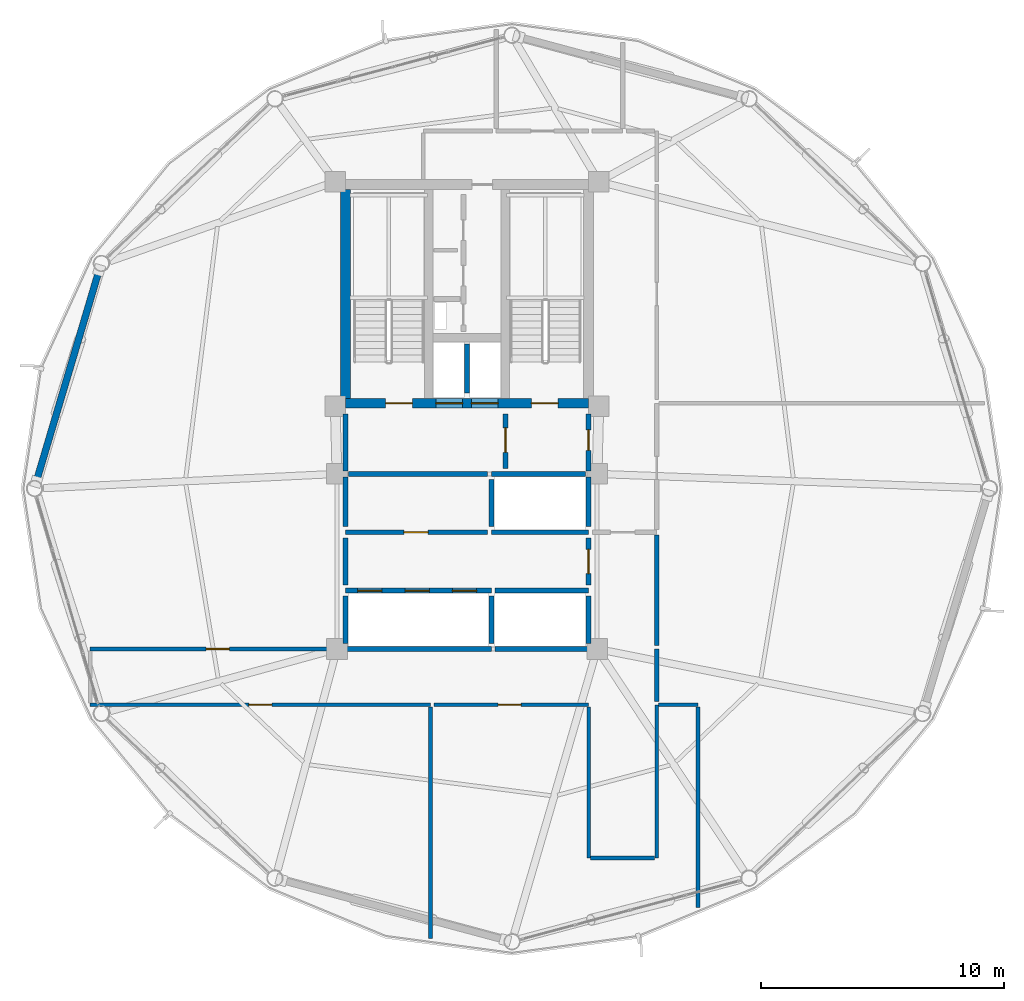
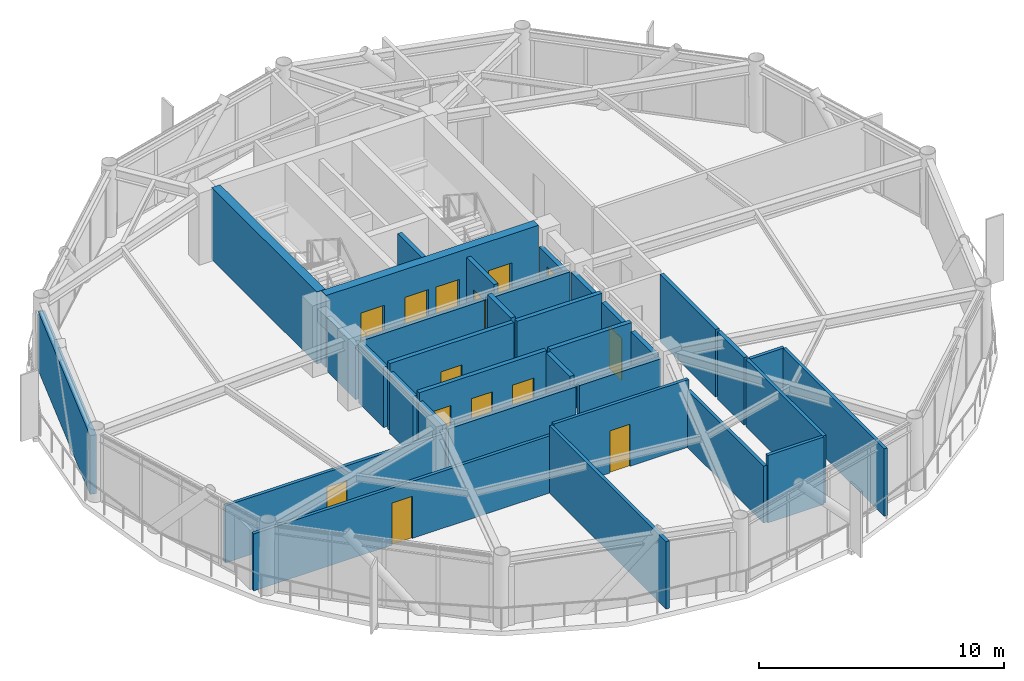
# One storey, part 22 of 28: 34 walls, 14 doors, 14 openings.
"""IFC4 building model written with IfcOpenShell, lengths in metres."""

from ifc_helpers import new_model, si_unit, direction, frame, frame_2d, origin, place, context, subcontext, project, spatial, rectangle, extrude, material, layer, layer_set, type_object, element, fill, save


model = new_model("IFC4")

# Units and contexts
model_context = context("Model", 3, precision=1e-05, world=origin(), true_north=direction((0.0, 1.0)))
body_context = subcontext(model_context, "Body", "Model", "MODEL_VIEW")
ifc_project = project(units=[si_unit("LENGTHUNIT", "METRE"), si_unit("AREAUNIT", "SQUARE_METRE"), si_unit("VOLUMEUNIT", "CUBIC_METRE"), si_unit("PLANEANGLEUNIT", "RADIAN"), si_unit("MASSUNIT", "GRAM", prefix="KILO")], contexts=[model_context])

# Site, building, storey
site_placement = place(None, origin())
site = spatial("IfcSite", under=ifc_project, at=site_placement, CompositionType="ELEMENT")
building_placement = place(site_placement, origin())
building = spatial("IfcBuilding", under=site, at=building_placement, Name="Varnakorn Sky Granary", CompositionType="ELEMENT")
storey_placement = place(building_placement, frame((0.0, 0.0, 186.0)))
storey = spatial("IfcBuildingStorey", under=building, at=storey_placement, Name="L46", CompositionType="ELEMENT", Elevation=186.0)

# Wall, openings, doors
ifc_material_1 = material(Name="Concrete C50/60", Category="concrete")
ifc_layer_1 = layer(ifc_material_1, 0.39990234375, Name="Concrete C50/60")
ifc_layer_set_1 = layer_set([ifc_layer_1], Name="Concrete C50/60")
wall_type_1 = type_object("IfcWallType", Name="WT-CW-SHEAR-400", PredefinedType="SHEAR", material=ifc_layer_set_1)
wall_1_placement = place(storey_placement, frame((-2.0, 3.5, 0.0), z_axis=(0.0, 0.0, 1.0), x_axis=(1.0, 0.0, 0.0)))
wall_1 = element("IfcWall", 1, at=wall_1_placement, inside=storey, type_object=wall_type_1, Name="Core South Shear Wall L46", PredefinedType="SHEAR", context=body_context, shape_type="SweptSolid", body=[
    extrude(rectangle(XDim=10.0, YDim=0.39990234375, at=frame_2d((5.0, 0.0))), origin(), (0.0, 0.0, 1.0), 3.592041015625),
])
opening_1_placement = place(wall_1_placement, frame((1.64990234375, 0.0, 0.0)))
opening_1 = element("IfcOpeningElement", 2, at=opening_1_placement, cuts=wall_1, Name="Opening FD-90", PredefinedType="OPENING", context=body_context, shape_type="SweptSolid", body=[
    extrude(rectangle(XDim=1.10009765625, YDim=2.14990234375, at=frame_2d((0.550048828125, 1.074951171875))), frame((0.0, 0.2099609375, 0.0), z_axis=(0.0, -1.0, 0.0), x_axis=(1.0, 0.0, 0.0)), (0.0, 0.0, 1.0), 0.419921875),
])
opening_2_placement = place(wall_1_placement, frame((7.64990234375, 0.0, 0.0)))
opening_2 = element("IfcOpeningElement", 3, at=opening_2_placement, cuts=wall_1, Name="Opening FD-90", PredefinedType="OPENING", context=body_context, shape_type="SweptSolid", body=[
    extrude(rectangle(XDim=1.10009765625, YDim=2.14990234375, at=frame_2d((0.550048828125, 1.074951171875))), frame((0.0, 0.2099609375, 0.0), z_axis=(0.0, -1.0, 0.0), x_axis=(1.0, 0.0, 0.0)), (0.0, 0.0, 1.0), 0.419921875),
])
opening_3_placement = place(wall_1_placement, frame((3.719970703125, 0.0, 0.0)))
opening_3 = element("IfcOpeningElement", 4, at=opening_3_placement, cuts=wall_1, Name="Opening LD-01", PredefinedType="OPENING", context=body_context, shape_type="SweptSolid", body=[
    extrude(rectangle(XDim=1.10009765625, YDim=2.199951171875, at=frame_2d((0.550048828125, 1.10009765625))), frame((0.0, 0.2099609375, 0.0), z_axis=(0.0, -1.0, 0.0), x_axis=(1.0, 0.0, 0.0)), (0.0, 0.0, 1.0), 0.419921875),
])
opening_4_placement = place(wall_1_placement, frame((5.179931640625, 0.0, 0.0)))
opening_4 = element("IfcOpeningElement", 5, at=opening_4_placement, cuts=wall_1, Name="Opening LD-01", PredefinedType="OPENING", context=body_context, shape_type="SweptSolid", body=[
    extrude(rectangle(XDim=1.10009765625, YDim=2.199951171875, at=frame_2d((0.550048828125, 1.10009765625))), frame((0.0, 0.2099609375, 0.0), z_axis=(0.0, -1.0, 0.0), x_axis=(1.0, 0.0, 0.0)), (0.0, 0.0, 1.0), 0.419921875),
])
ifc_material_2 = material(Name="Brushed Bronze Stainless Steel", Category="steel")
door_type_1 = type_object("IfcDoorType", Name="DR-LD-1100", OperationType="DOUBLE_DOOR_SLIDING", PredefinedType="DOOR", material=ifc_material_2)
door_1_placement = place(opening_3_placement, origin())
door_1 = element("IfcDoor", 6, at=door_1_placement, inside=storey, type_object=door_type_1, Name="Firefighting Lift FFL-1 Landing Door L46", OperationType="DOUBLE_DOOR_SLIDING", OverallHeight=2.199951171875, OverallWidth=1.10009765625, PredefinedType="DOOR", context=body_context, shape_type="SweptSolid", body=[
    extrude(rectangle(XDim=1.10009765625, YDim=2.199951171875, at=frame_2d((0.550048828125, 1.10009765625))), frame((0.0, 0.02490234375, 0.0), z_axis=(0.0, -1.0, 0.0), x_axis=(1.0, 0.0, 0.0)), (0.0, 0.0, 1.0), 0.050048828125),
])
fill(opening_3, door_1)
door_2_placement = place(opening_4_placement, origin())
door_2 = element("IfcDoor", 7, at=door_2_placement, inside=storey, type_object=door_type_1, Name="Firefighting Lift FFL-2 Landing Door L46", OperationType="DOUBLE_DOOR_SLIDING", OverallHeight=2.199951171875, OverallWidth=1.10009765625, PredefinedType="DOOR", context=body_context, shape_type="SweptSolid", body=[
    extrude(rectangle(XDim=1.10009765625, YDim=2.199951171875, at=frame_2d((0.550048828125, 1.10009765625))), frame((0.0, 0.02490234375, 0.0), z_axis=(0.0, -1.0, 0.0), x_axis=(1.0, 0.0, 0.0)), (0.0, 0.0, 1.0), 0.050048828125),
])
fill(opening_4, door_2)
ifc_material_3 = material(Name="Galvanised Painted Steel Leaf", Category="steel")
door_type_2 = type_object("IfcDoorType", Name="DR-STAIR-1100", OperationType="NOTDEFINED", PredefinedType="DOOR", material=ifc_material_3)
door_3_placement = place(opening_1_placement, origin())
door_3 = element("IfcDoor", 8, at=door_3_placement, inside=storey, type_object=door_type_2, Name="Stair ST-1 Protected Fire Door L46", OperationType="SINGLE_SWING_LEFT", OverallHeight=2.14990234375, OverallWidth=1.10009765625, PredefinedType="DOOR", context=body_context, shape_type="SweptSolid", body=[
    extrude(rectangle(XDim=1.10009765625, YDim=2.14990234375, at=frame_2d((0.550048828125, 1.074951171875))), frame((0.0, 0.02490234375, 0.0), z_axis=(0.0, -1.0, 0.0), x_axis=(1.0, 0.0, 0.0)), (0.0, 0.0, 1.0), 0.050048828125),
])
fill(opening_1, door_3)
door_4_placement = place(opening_2_placement, origin())
door_4 = element("IfcDoor", 9, at=door_4_placement, inside=storey, type_object=door_type_2, Name="Stair ST-2 Protected Fire Door L46", OperationType="SINGLE_SWING_RIGHT", OverallHeight=2.14990234375, OverallWidth=1.10009765625, PredefinedType="DOOR", context=body_context, shape_type="SweptSolid", body=[
    extrude(rectangle(XDim=1.10009765625, YDim=2.14990234375, at=frame_2d((0.550048828125, 1.074951171875))), frame((0.0, 0.02490234375, 0.0), z_axis=(0.0, -1.0, 0.0), x_axis=(1.0, 0.0, 0.0)), (0.0, 0.0, 1.0), 0.050048828125),
])
fill(opening_2, door_4)

# Walls
wall_2_placement = place(storey_placement, frame((-2.0, 3.7099609375, 0.0), z_axis=(0.0, 0.0, 1.0), x_axis=(0.0, 1.0, 0.0)))
element("IfcWall", 10, at=wall_2_placement, inside=storey, type_object=wall_type_1, Name="Core West Shear Wall L46", PredefinedType="SHEAR", context=body_context, shape_type="SweptSolid", body=[
    extrude(rectangle(XDim=8.580078125, YDim=0.39990234375, at=frame_2d((4.2900390625, 0.0))), origin(), (0.0, 0.0, 1.0), 3.592041015625),
])
ifc_material_4 = material(Name="Precast concrete C40/50", Category="concrete")
ifc_layer_2 = layer(ifc_material_4, 0.280029296875, Name="Precast concrete C40/50")
ifc_layer_set_2 = layer_set([ifc_layer_2], Name="Precast concrete C40/50")
wall_type_2 = type_object("IfcWallType", Name="WT-EW-CRN-280", PredefinedType="SOLIDWALL", material=ifc_layer_set_2)
wall_3_placement = place(storey_placement, frame((-14.7158203125, 0.273193359375, 0.0), z_axis=(0.0, 0.0, 1.0), x_axis=(0.28470670411, 0.958614673701, 0.0)))
element("IfcWall", 11, at=wall_3_placement, inside=storey, type_object=wall_type_2, Name="Agritech Insulated Precast Facade Wall L46-P06", PredefinedType="SOLIDWALL", context=body_context, shape_type="SweptSolid", body=[
    extrude(rectangle(XDim=9.086181640625, YDim=0.280029296875, at=frame_2d((4.54296875, 0.0))), origin(), (0.0, 0.0, 1.0), 2.929931640625),
])

# Wall, opening, door
ifc_material_5 = material(Name="Autoclaved Aerated Concrete Blockwork", Category="masonry")
ifc_layer_3 = layer(ifc_material_5, 0.199951171875, Name="Autoclaved Aerated Concrete Blockwork")
ifc_layer_set_3 = layer_set([ifc_layer_3], Name="Autoclaved Aerated Concrete Blockwork")
wall_type_3 = type_object("IfcWallType", Name="WT-FIRE-200", PredefinedType="MOVABLE", material=ifc_layer_set_3)
wall_4_placement = place(storey_placement, frame((4.580078125, 0.830078125, 0.0), z_axis=(0.0, 0.0, 1.0), x_axis=(0.0, 1.0, 0.0)))
wall_4 = element("IfcWall", 12, at=wall_4_placement, inside=storey, type_object=wall_type_3, Name="Interior Partition Wall L46-015", PredefinedType="MOVABLE", context=body_context, shape_type="SweptSolid", body=[
    extrude(rectangle(XDim=2.239990234375, YDim=0.199951171875, at=frame_2d((1.1201171875, 0.0))), origin(), (0.0, 0.0, 1.0), 3.360107421875),
])
opening_5_placement = place(wall_4_placement, frame((0.659912109375, 0.0, 0.0)))
opening_5 = element("IfcOpeningElement", 13, at=opening_5_placement, cuts=wall_4, Name="Opening FD-60", PredefinedType="OPENING", context=body_context, shape_type="SweptSolid", body=[
    extrude(rectangle(XDim=1.0, YDim=2.10009765625, at=frame_2d((0.5, 1.050048828125))), frame((0.0, 0.10986328125, 0.0), z_axis=(0.0, -1.0, 0.0), x_axis=(1.0, 0.0, 0.0)), (0.0, 0.0, 1.0), 0.219970703125),
])
ifc_material_6 = material(Name="Acoustic Timber Fire Leaf", Category="wood")
door_type_3 = type_object("IfcDoorType", Name="DR-FD60-1000", OperationType="NOTDEFINED", PredefinedType="DOOR", material=ifc_material_6)
door_5_placement = place(opening_5_placement, origin())
door_5 = element("IfcDoor", 14, at=door_5_placement, inside=storey, type_object=door_type_3, Name="Interior Door L46-015-1", OperationType="SINGLE_SWING_LEFT", OverallHeight=2.10009765625, OverallWidth=1.0, PredefinedType="DOOR", context=body_context, shape_type="SweptSolid", body=[
    extrude(rectangle(XDim=1.0, YDim=2.10009765625, at=frame_2d((0.5, 1.050048828125))), frame((0.0, 0.02490234375, 0.0), z_axis=(0.0, -1.0, 0.0), x_axis=(1.0, 0.0, 0.0)), (0.0, 0.0, 1.0), 0.050048828125),
])
fill(opening_5, door_5)

wall_5_placement = place(storey_placement, frame((8.0, 0.719970703125, 0.0), z_axis=(0.0, 0.0, 1.0), x_axis=(0.0, 1.0, 0.0)))
wall_5 = element("IfcWall", 15, at=wall_5_placement, inside=storey, type_object=wall_type_3, Name="Interior Partition Wall L46-016", PredefinedType="MOVABLE", context=body_context, shape_type="SweptSolid", body=[
    extrude(rectangle(XDim=2.35009765625, YDim=0.199951171875, at=frame_2d((1.175048828125, 0.0))), origin(), (0.0, 0.0, 1.0), 2.69189453125),
])
opening_6_placement = place(wall_5_placement, frame((0.844970703125, 0.0, 0.0)))
opening_6 = element("IfcOpeningElement", 16, at=opening_6_placement, cuts=wall_5, Name="Opening FD-60N", PredefinedType="OPENING", context=body_context, shape_type="SweptSolid", body=[
    extrude(rectangle(XDim=0.85009765625, YDim=2.10009765625, at=frame_2d((0.425048828125, 1.050048828125))), frame((0.0, 0.10986328125, 0.0), z_axis=(0.0, -1.0, 0.0), x_axis=(1.0, 0.0, 0.0)), (0.0, 0.0, 1.0), 0.219970703125),
])
door_type_4 = type_object("IfcDoorType", Name="DR-FD60-850", OperationType="NOTDEFINED", PredefinedType="DOOR", material=ifc_material_6)
door_6_placement = place(opening_6_placement, origin())
door_6 = element("IfcDoor", 17, at=door_6_placement, inside=storey, type_object=door_type_4, Name="Interior Door L46-016-1", OperationType="SINGLE_SWING_RIGHT", OverallHeight=2.10009765625, OverallWidth=0.85009765625, PredefinedType="DOOR", context=body_context, shape_type="SweptSolid", body=[
    extrude(rectangle(XDim=0.85009765625, YDim=2.10009765625, at=frame_2d((0.425048828125, 1.050048828125))), frame((0.0, 0.02490234375, 0.0), z_axis=(0.0, -1.0, 0.0), x_axis=(1.0, 0.0, 0.0)), (0.0, 0.0, 1.0), 0.050048828125),
])
fill(opening_6, door_6)

wall_6_placement = place(storey_placement, frame((8.0, -3.969970703125, 0.0), z_axis=(0.0, 0.0, 1.0), x_axis=(0.0, 1.0, 0.0)))
wall_6 = element("IfcWall", 18, at=wall_6_placement, inside=storey, type_object=wall_type_3, Name="Interior Partition Wall L46-017", PredefinedType="MOVABLE", context=body_context, shape_type="SweptSolid", body=[
    extrude(rectangle(XDim=1.93994140625, YDim=0.199951171875, at=frame_2d((0.969970703125, 0.0))), origin(), (0.0, 0.0, 1.0), 3.011962890625),
])
opening_7_placement = place(wall_6_placement, frame((0.469970703125, 0.0, 0.0)))
opening_7 = element("IfcOpeningElement", 19, at=opening_7_placement, cuts=wall_6, Name="Opening FD-60", PredefinedType="OPENING", context=body_context, shape_type="SweptSolid", body=[
    extrude(rectangle(XDim=1.0, YDim=2.10009765625, at=frame_2d((0.5, 1.050048828125))), frame((0.0, 0.10986328125, 0.0), z_axis=(0.0, -1.0, 0.0), x_axis=(1.0, 0.0, 0.0)), (0.0, 0.0, 1.0), 0.219970703125),
])
door_7_placement = place(opening_7_placement, origin())
door_7 = element("IfcDoor", 20, at=door_7_placement, inside=storey, type_object=door_type_3, Name="Interior Door L46-017-1", OperationType="SINGLE_SWING_LEFT", OverallHeight=2.10009765625, OverallWidth=1.0, PredefinedType="DOOR", context=body_context, shape_type="SweptSolid", body=[
    extrude(rectangle(XDim=1.0, YDim=2.10009765625, at=frame_2d((0.5, 1.050048828125))), frame((0.0, 0.02490234375, 0.0), z_axis=(0.0, -1.0, 0.0), x_axis=(1.0, 0.0, 0.0)), (0.0, 0.0, 1.0), 0.050048828125),
])
fill(opening_7, door_7)

wall_7_placement = place(storey_placement, frame((-2.0, -1.800048828125, 0.0), z_axis=(0.0, 0.0, 1.0), x_axis=(1.0, 0.0, 0.0)))
wall_7 = element("IfcWall", 21, at=wall_7_placement, inside=storey, type_object=wall_type_3, Name="Interior Partition Wall L46-018", PredefinedType="MOVABLE", context=body_context, shape_type="SweptSolid", body=[
    extrude(rectangle(XDim=5.840087890625, YDim=0.199951171875, at=frame_2d((2.919921875, 0.0))), origin(), (0.0, 0.0, 1.0), 3.360107421875),
])
opening_8_placement = place(wall_7_placement, frame((2.39990234375, 0.0, 0.0)))
opening_8 = element("IfcOpeningElement", 22, at=opening_8_placement, cuts=wall_7, Name="Opening FD-60", PredefinedType="OPENING", context=body_context, shape_type="SweptSolid", body=[
    extrude(rectangle(XDim=1.0, YDim=2.10009765625, at=frame_2d((0.5, 1.050048828125))), frame((0.0, 0.10986328125, 0.0), z_axis=(0.0, -1.0, 0.0), x_axis=(1.0, 0.0, 0.0)), (0.0, 0.0, 1.0), 0.219970703125),
])
door_8_placement = place(opening_8_placement, origin())
door_8 = element("IfcDoor", 23, at=door_8_placement, inside=storey, type_object=door_type_3, Name="Interior Door L46-018-1", OperationType="SINGLE_SWING_RIGHT", OverallHeight=2.10009765625, OverallWidth=1.0, PredefinedType="DOOR", context=body_context, shape_type="SweptSolid", body=[
    extrude(rectangle(XDim=1.0, YDim=2.10009765625, at=frame_2d((0.5, 1.050048828125))), frame((0.0, 0.02490234375, 0.0), z_axis=(0.0, -1.0, 0.0), x_axis=(1.0, 0.0, 0.0)), (0.0, 0.0, 1.0), 0.050048828125),
])
fill(opening_8, door_8)

# Walls
wall_8_placement = place(storey_placement, frame((-1.8798828125, 0.60009765625, 0.0), z_axis=(0.0, 0.0, 1.0), x_axis=(1.0, 0.0, 0.0)))
element("IfcWall", 24, at=wall_8_placement, inside=storey, type_object=wall_type_3, Name="Interior Partition Wall L46-027", PredefinedType="MOVABLE", context=body_context, shape_type="SweptSolid", body=[
    extrude(rectangle(XDim=5.719970703125, YDim=0.199951171875, at=frame_2d((2.85986328125, 0.0))), origin(), (0.0, 0.0, 1.0), 3.011962890625),
])
wall_9_placement = place(storey_placement, frame((-2.0, 0.719970703125, 0.0), z_axis=(0.0, 0.0, 1.0), x_axis=(0.0, 1.0, 0.0)))
element("IfcWall", 25, at=wall_9_placement, inside=storey, type_object=wall_type_3, Name="Interior Partition Wall L46-028", PredefinedType="MOVABLE", context=body_context, shape_type="SweptSolid", body=[
    extrude(rectangle(XDim=2.35009765625, YDim=0.199951171875, at=frame_2d((1.175048828125, 0.0))), origin(), (0.0, 0.0, 1.0), 2.69189453125),
])
wall_10_placement = place(storey_placement, frame((-2.0, -3.969970703125, 0.0), z_axis=(0.0, 0.0, 1.0), x_axis=(0.0, 1.0, 0.0)))
element("IfcWall", 26, at=wall_10_placement, inside=storey, type_object=wall_type_3, Name="Interior Partition Wall L46-029", PredefinedType="MOVABLE", context=body_context, shape_type="SweptSolid", body=[
    extrude(rectangle(XDim=1.93994140625, YDim=0.199951171875, at=frame_2d((0.969970703125, 0.0))), origin(), (0.0, 0.0, 1.0), 3.011962890625),
])
wall_11_placement = place(storey_placement, frame((-2.0, -1.570068359375, 0.0), z_axis=(0.0, 0.0, 1.0), x_axis=(0.0, 1.0, 0.0)))
element("IfcWall", 27, at=wall_11_placement, inside=storey, type_object=wall_type_3, Name="Interior Partition Wall L46-030", PredefinedType="MOVABLE", context=body_context, shape_type="SweptSolid", body=[
    extrude(rectangle(XDim=2.050048828125, YDim=0.199951171875, at=frame_2d((1.02490234375, 0.0))), origin(), (0.0, 0.0, 1.0), 3.011962890625),
])

# Wall, opening, door
ifc_material_7 = material(Name="Gypsum Plasterboard on Steel Stud", Category="steel")
ifc_layer_4 = layer(ifc_material_7, 0.14990234375, Name="Gypsum Plasterboard on Steel Stud")
ifc_layer_set_4 = layer_set([ifc_layer_4], Name="Gypsum Plasterboard on Steel Stud")
wall_type_4 = type_object("IfcWallType", Name="WT-PART-150", PredefinedType="PARTITIONING", material=ifc_layer_set_4)
wall_12_placement = place(storey_placement, frame((-12.5, -8.89990234375, 0.0), z_axis=(0.0, 0.0, 1.0), x_axis=(1.0, 0.0, 0.0)))
wall_12 = element("IfcWall", 28, at=wall_12_placement, inside=storey, type_object=wall_type_4, Name="Interior Partition Wall L46-021", PredefinedType="PARTITIONING", context=body_context, shape_type="SweptSolid", body=[
    extrude(rectangle(XDim=14.0, YDim=0.14990234375, at=frame_2d((7.0, 0.0))), origin(), (0.0, 0.0, 1.0), 2.842041015625),
])
opening_9_placement = place(wall_12_placement, frame((6.52490234375, 0.0, 0.0)))
opening_9 = element("IfcOpeningElement", 29, at=opening_9_placement, cuts=wall_12, Name="Opening ID-95", PredefinedType="OPENING", context=body_context, shape_type="SweptSolid", body=[
    extrude(rectangle(XDim=0.949951171875, YDim=2.10009765625, at=frame_2d((0.47509765625, 1.050048828125))), frame((0.0, 0.0849609375, 0.0), z_axis=(0.0, -1.0, 0.0), x_axis=(1.0, 0.0, 0.0)), (0.0, 0.0, 1.0), 0.169921875),
])
ifc_material_8 = material(Name="Solid-Core Teak Veneer Leaf", Category="timber")
door_type_5 = type_object("IfcDoorType", Name="DR-INT-950", OperationType="NOTDEFINED", PredefinedType="DOOR", material=ifc_material_8)
door_9_placement = place(opening_9_placement, origin())
door_9 = element("IfcDoor", 30, at=door_9_placement, inside=storey, type_object=door_type_5, Name="Interior Door L46-021-1", OperationType="SINGLE_SWING_LEFT", OverallHeight=2.10009765625, OverallWidth=0.949951171875, PredefinedType="DOOR", context=body_context, shape_type="SweptSolid", body=[
    extrude(rectangle(XDim=0.949951171875, YDim=2.10009765625, at=frame_2d((0.47509765625, 1.050048828125))), frame((0.0, 0.02490234375, 0.0), z_axis=(0.0, -1.0, 0.0), x_axis=(1.0, 0.0, 0.0)), (0.0, 0.0, 1.0), 0.050048828125),
])
fill(opening_9, door_9)

wall_13_placement = place(storey_placement, frame((1.635009765625, -8.89990234375, 0.0), z_axis=(0.0, 0.0, 1.0), x_axis=(1.0, 0.0, 0.0)))
wall_13 = element("IfcWall", 31, at=wall_13_placement, inside=storey, type_object=wall_type_4, Name="Interior Partition Wall L46-022", PredefinedType="PARTITIONING", context=body_context, shape_type="SweptSolid", body=[
    extrude(rectangle(XDim=6.364990234375, YDim=0.14990234375, at=frame_2d((3.1826171875, 0.0))), origin(), (0.0, 0.0, 1.0), 3.360107421875),
])
opening_10_placement = place(wall_13_placement, frame((2.639892578125, 0.0, 0.0)))
opening_10 = element("IfcOpeningElement", 32, at=opening_10_placement, cuts=wall_13, Name="Opening ID-95", PredefinedType="OPENING", context=body_context, shape_type="SweptSolid", body=[
    extrude(rectangle(XDim=0.949951171875, YDim=2.10009765625, at=frame_2d((0.47509765625, 1.050048828125))), frame((0.0, 0.0849609375, 0.0), z_axis=(0.0, -1.0, 0.0), x_axis=(1.0, 0.0, 0.0)), (0.0, 0.0, 1.0), 0.169921875),
])
door_10_placement = place(opening_10_placement, origin())
door_10 = element("IfcDoor", 33, at=door_10_placement, inside=storey, type_object=door_type_5, Name="Interior Door L46-022-1", OperationType="SINGLE_SWING_RIGHT", OverallHeight=2.10009765625, OverallWidth=0.949951171875, PredefinedType="DOOR", context=body_context, shape_type="SweptSolid", body=[
    extrude(rectangle(XDim=0.949951171875, YDim=2.10009765625, at=frame_2d((0.47509765625, 1.050048828125))), frame((0.0, 0.02490234375, 0.0), z_axis=(0.0, -1.0, 0.0), x_axis=(1.0, 0.0, 0.0)), (0.0, 0.0, 1.0), 0.050048828125),
])
fill(opening_10, door_10)

wall_14_placement = place(storey_placement, frame((-2.159912109375, -6.60009765625, 0.0), z_axis=(0.0, 0.0, 1.0), x_axis=(-1.0, 0.0, 0.0)))
wall_14 = element("IfcWall", 34, at=wall_14_placement, inside=storey, type_object=wall_type_4, Name="Interior Partition Wall L46-023", PredefinedType="PARTITIONING", context=body_context, shape_type="SweptSolid", body=[
    extrude(rectangle(XDim=10.340087890625, YDim=0.14990234375, at=frame_2d((5.169921875, 0.0))), origin(), (0.0, 0.0, 1.0), 2.842041015625),
])
opening_11_placement = place(wall_14_placement, frame((4.614990234375, 0.0, 0.0)))
opening_11 = element("IfcOpeningElement", 35, at=opening_11_placement, cuts=wall_14, Name="Opening ID-95", PredefinedType="OPENING", context=body_context, shape_type="SweptSolid", body=[
    extrude(rectangle(XDim=0.949951171875, YDim=2.10009765625, at=frame_2d((0.47509765625, 1.050048828125))), frame((0.0, 0.0849609375, 0.0), z_axis=(0.0, -1.0, 0.0), x_axis=(1.0, 0.0, 0.0)), (0.0, 0.0, 1.0), 0.169921875),
])
door_11_placement = place(opening_11_placement, origin())
door_11 = element("IfcDoor", 36, at=door_11_placement, inside=storey, type_object=door_type_5, Name="Interior Door L46-023-1", OperationType="SINGLE_SWING_LEFT", OverallHeight=2.10009765625, OverallWidth=0.949951171875, PredefinedType="DOOR", context=body_context, shape_type="SweptSolid", body=[
    extrude(rectangle(XDim=0.949951171875, YDim=2.10009765625, at=frame_2d((0.47509765625, 1.050048828125))), frame((0.0, 0.02490234375, 0.0), z_axis=(0.0, -1.0, 0.0), x_axis=(1.0, 0.0, 0.0)), (0.0, 0.0, 1.0), 0.050048828125),
])
fill(opening_11, door_11)

# Walls
wall_15_placement = place(storey_placement, frame((1.5, -8.985107421875, 0.0), z_axis=(0.0, 0.0, 1.0), x_axis=(0.0, -1.0, 0.0)))
element("IfcWall", 37, at=wall_15_placement, inside=storey, type_object=wall_type_4, Name="Interior Partition Wall L46-032", PredefinedType="PARTITIONING", context=body_context, shape_type="SweptSolid", body=[
    extrude(rectangle(XDim=9.52490234375, YDim=0.14990234375, at=frame_2d((4.762451171875, 0.0))), origin(), (0.0, 0.0, 1.0), 3.360107421875),
])
wall_16_placement = place(storey_placement, frame((8.0, -8.985107421875, 0.0), z_axis=(0.0, 0.0, 1.0), x_axis=(0.0, -1.0, 0.0)))
element("IfcWall", 38, at=wall_16_placement, inside=storey, type_object=wall_type_4, Name="Interior Partition Wall L46-033", PredefinedType="PARTITIONING", context=body_context, shape_type="SweptSolid", body=[
    extrude(rectangle(XDim=6.21484375, YDim=0.14990234375, at=frame_2d((3.107421875, 0.0))), origin(), (0.0, 0.0, 1.0), 2.842041015625),
])
wall_17_placement = place(storey_placement, frame((10.800048828125, -15.199951171875, 0.0), z_axis=(0.0, 0.0, 1.0), x_axis=(0.0, 1.0, 0.0)))
element("IfcWall", 39, at=wall_17_placement, inside=storey, type_object=wall_type_4, Name="Interior Partition Wall L46-034", PredefinedType="PARTITIONING", context=body_context, shape_type="SweptSolid", body=[
    extrude(rectangle(XDim=6.300048828125, YDim=0.14990234375, at=frame_2d((3.14990234375, 0.0))), origin(), (0.0, 0.0, 1.0), 3.360107421875),
])
wall_18_placement = place(storey_placement, frame((8.0849609375, -15.199951171875, 0.0), z_axis=(0.0, 0.0, 1.0), x_axis=(1.0, 0.0, 0.0)))
element("IfcWall", 40, at=wall_18_placement, inside=storey, type_object=wall_type_4, Name="Interior Partition Wall L46-035", PredefinedType="PARTITIONING", context=body_context, shape_type="SweptSolid", body=[
    extrude(rectangle(XDim=2.630126953125, YDim=0.14990234375, at=frame_2d((1.31494140625, 0.0))), origin(), (0.0, 0.0, 1.0), 3.360107421875),
])
wall_19_placement = place(storey_placement, frame((10.885009765625, -8.89990234375, 0.0), z_axis=(0.0, 0.0, 1.0), x_axis=(1.0, 0.0, 0.0)))
element("IfcWall", 41, at=wall_19_placement, inside=storey, type_object=wall_type_4, Name="Interior Partition Wall L46-036", PredefinedType="PARTITIONING", context=body_context, shape_type="SweptSolid", body=[
    extrude(rectangle(XDim=1.614990234375, YDim=0.14990234375, at=frame_2d((0.8076171875, 0.0))), origin(), (0.0, 0.0, 1.0), 3.360107421875),
])
wall_20_placement = place(storey_placement, frame((12.5, -8.985107421875, 0.0), z_axis=(0.0, 0.0, 1.0), x_axis=(0.0, -1.0, 0.0)))
element("IfcWall", 42, at=wall_20_placement, inside=storey, type_object=wall_type_4, Name="Interior Partition Wall L46-037", PredefinedType="PARTITIONING", context=body_context, shape_type="SweptSolid", body=[
    extrude(rectangle(XDim=8.2509765625, YDim=0.14990234375, at=frame_2d((4.12548828125, 0.0))), origin(), (0.0, 0.0, 1.0), 3.360107421875),
])
ifc_material_9 = material(Name="Moisture-Resistant Gypsum on Stud", Category="gypsum")
ifc_layer_5 = layer(ifc_material_9, 0.179931640625, Name="Moisture-Resistant Gypsum on Stud")
ifc_layer_set_5 = layer_set([ifc_layer_5], Name="Moisture-Resistant Gypsum on Stud")
wall_type_5 = type_object("IfcWallType", Name="WT-PLUMB-180", PredefinedType="PLUMBINGWALL", material=ifc_layer_set_5)
wall_21_placement = place(storey_placement, frame((10.800048828125, -8.764892578125, 0.0), z_axis=(0.0, 0.0, 1.0), x_axis=(0.0, 1.0, 0.0)))
element("IfcWall", 43, at=wall_21_placement, inside=storey, type_object=wall_type_5, Name="Interior Partition Wall L46-042", PredefinedType="PLUMBINGWALL", context=body_context, shape_type="SweptSolid", body=[
    extrude(rectangle(XDim=2.164794921875, YDim=0.179931640625, at=frame_2d((1.08251953125, 0.0))), origin(), (0.0, 0.0, 1.0), 3.360107421875),
])
wall_22_placement = place(storey_placement, frame((10.800048828125, -6.449951171875, 0.0), z_axis=(0.0, 0.0, 1.0), x_axis=(0.0, 1.0, 0.0)))
element("IfcWall", 44, at=wall_22_placement, inside=storey, type_object=wall_type_5, Name="Interior Partition Wall L46-043", PredefinedType="PLUMBINGWALL", context=body_context, shape_type="SweptSolid", body=[
    extrude(rectangle(XDim=4.5400390625, YDim=0.179931640625, at=frame_2d((2.27001953125, 0.0))), origin(), (0.0, 0.0, 1.0), 3.360107421875),
])
ifc_layer_6 = layer(ifc_material_5, 0.199951171875, Name="Autoclaved Aerated Concrete Blockwork")
ifc_layer_set_6 = layer_set([ifc_layer_6], Name="Autoclaved Aerated Concrete Blockwork")
wall_type_6 = type_object("IfcWallType", Name="WT-SHAFT-200", PredefinedType="SOLIDWALL", material=ifc_layer_set_6)
wall_23_placement = place(storey_placement, frame((3.0, 3.919921875, 0.0), z_axis=(0.0, 0.0, 1.0), x_axis=(0.0, 1.0, 0.0)))
element("IfcWall", 45, at=wall_23_placement, inside=storey, type_object=wall_type_6, Name="Interior Partition Wall L46-001", PredefinedType="SOLIDWALL", context=body_context, shape_type="SweptSolid", body=[
    extrude(rectangle(XDim=2.030029296875, YDim=0.199951171875, at=frame_2d((1.01513671875, 0.0))), origin(), (0.0, 0.0, 1.0), 3.360107421875),
])
wall_24_placement = place(storey_placement, frame((4.0, 0.60009765625, 0.0), z_axis=(0.0, 0.0, 1.0), x_axis=(1.0, 0.0, 0.0)))
element("IfcWall", 46, at=wall_24_placement, inside=storey, type_object=wall_type_6, Name="Interior Partition Wall L46-003", PredefinedType="SOLIDWALL", context=body_context, shape_type="SweptSolid", body=[
    extrude(rectangle(XDim=3.8798828125, YDim=0.199951171875, at=frame_2d((1.93994140625, 0.0))), origin(), (0.0, 0.0, 1.0), 3.011962890625),
])
wall_25_placement = place(storey_placement, frame((4.0, -1.800048828125, 0.0), z_axis=(0.0, 0.0, 1.0), x_axis=(1.0, 0.0, 0.0)))
element("IfcWall", 47, at=wall_25_placement, inside=storey, type_object=wall_type_6, Name="Interior Partition Wall L46-004", PredefinedType="SOLIDWALL", context=body_context, shape_type="SweptSolid", body=[
    extrude(rectangle(XDim=4.0, YDim=0.199951171875, at=frame_2d((2.0, 0.0))), origin(), (0.0, 0.0, 1.0), 3.360107421875),
])
wall_26_placement = place(storey_placement, frame((4.0, -1.570068359375, 0.0), z_axis=(0.0, 0.0, 1.0), x_axis=(0.0, 1.0, 0.0)))
element("IfcWall", 48, at=wall_26_placement, inside=storey, type_object=wall_type_6, Name="Interior Partition Wall L46-005", PredefinedType="SOLIDWALL", context=body_context, shape_type="SweptSolid", body=[
    extrude(rectangle(XDim=1.940185546875, YDim=0.199951171875, at=frame_2d((0.97021484375, 0.0))), origin(), (0.0, 0.0, 1.0), 3.360107421875),
])
wall_27_placement = place(storey_placement, frame((8.0, -1.570068359375, 0.0), z_axis=(0.0, 0.0, 1.0), x_axis=(0.0, 1.0, 0.0)))
element("IfcWall", 49, at=wall_27_placement, inside=storey, type_object=wall_type_6, Name="Interior Partition Wall L46-006", PredefinedType="SOLIDWALL", context=body_context, shape_type="SweptSolid", body=[
    extrude(rectangle(XDim=2.050048828125, YDim=0.199951171875, at=frame_2d((1.02490234375, 0.0))), origin(), (0.0, 0.0, 1.0), 3.011962890625),
])

# Wall, openings, doors
wall_28_placement = place(storey_placement, frame((-2.0, -4.199951171875, 0.0), z_axis=(0.0, 0.0, 1.0), x_axis=(1.0, 0.0, 0.0)))
wall_28 = element("IfcWall", 50, at=wall_28_placement, inside=storey, type_object=wall_type_6, Name="Interior Partition Wall L46-007", PredefinedType="SOLIDWALL", context=body_context, shape_type="SweptSolid", body=[
    extrude(rectangle(XDim=6.0, YDim=0.199951171875, at=frame_2d((3.0, 0.0))), origin(), (0.0, 0.0, 1.0), 3.360107421875),
])
opening_12_placement = place(wall_28_placement, frame((0.5, 0.0, 0.0)))
opening_12 = element("IfcOpeningElement", 51, at=opening_12_placement, cuts=wall_28, Name="Opening LD-03", PredefinedType="OPENING", context=body_context, shape_type="SweptSolid", body=[
    extrude(rectangle(XDim=1.0, YDim=2.199951171875, at=frame_2d((0.5, 1.10009765625))), frame((0.0, 0.10986328125, 0.0), z_axis=(0.0, -1.0, 0.0), x_axis=(1.0, 0.0, 0.0)), (0.0, 0.0, 1.0), 0.219970703125),
])
opening_13_placement = place(wall_28_placement, frame((2.449951171875, 0.0, 0.0)))
opening_13 = element("IfcOpeningElement", 52, at=opening_13_placement, cuts=wall_28, Name="Opening LD-03", PredefinedType="OPENING", context=body_context, shape_type="SweptSolid", body=[
    extrude(rectangle(XDim=1.0, YDim=2.199951171875, at=frame_2d((0.5, 1.10009765625))), frame((0.0, 0.10986328125, 0.0), z_axis=(0.0, -1.0, 0.0), x_axis=(1.0, 0.0, 0.0)), (0.0, 0.0, 1.0), 0.219970703125),
])
opening_14_placement = place(wall_28_placement, frame((4.39990234375, 0.0, 0.0)))
opening_14 = element("IfcOpeningElement", 53, at=opening_14_placement, cuts=wall_28, Name="Opening LD-03", PredefinedType="OPENING", context=body_context, shape_type="SweptSolid", body=[
    extrude(rectangle(XDim=1.0, YDim=2.199951171875, at=frame_2d((0.5, 1.10009765625))), frame((0.0, 0.10986328125, 0.0), z_axis=(0.0, -1.0, 0.0), x_axis=(1.0, 0.0, 0.0)), (0.0, 0.0, 1.0), 0.219970703125),
])
door_type_6 = type_object("IfcDoorType", Name="DR-LD-1000", OperationType="DOUBLE_DOOR_SLIDING", PredefinedType="DOOR", material=ifc_material_2)
door_12_placement = place(opening_12_placement, origin())
door_12 = element("IfcDoor", 54, at=door_12_placement, inside=storey, type_object=door_type_6, Name="Passenger Lift PL-M1 Sliding Landing Door L46", OperationType="DOUBLE_DOOR_SLIDING", OverallHeight=2.199951171875, OverallWidth=1.0, PredefinedType="DOOR", context=body_context, shape_type="SweptSolid", body=[
    extrude(rectangle(XDim=1.0, YDim=2.199951171875, at=frame_2d((0.5, 1.10009765625))), frame((0.0, 0.02490234375, 0.0), z_axis=(0.0, -1.0, 0.0), x_axis=(1.0, 0.0, 0.0)), (0.0, 0.0, 1.0), 0.050048828125),
])
fill(opening_12, door_12)
door_13_placement = place(opening_13_placement, origin())
door_13 = element("IfcDoor", 55, at=door_13_placement, inside=storey, type_object=door_type_6, Name="Passenger Lift PL-M2 Sliding Landing Door L46", OperationType="DOUBLE_DOOR_SLIDING", OverallHeight=2.199951171875, OverallWidth=1.0, PredefinedType="DOOR", context=body_context, shape_type="SweptSolid", body=[
    extrude(rectangle(XDim=1.0, YDim=2.199951171875, at=frame_2d((0.5, 1.10009765625))), frame((0.0, 0.02490234375, 0.0), z_axis=(0.0, -1.0, 0.0), x_axis=(1.0, 0.0, 0.0)), (0.0, 0.0, 1.0), 0.050048828125),
])
fill(opening_13, door_13)
door_14_placement = place(opening_14_placement, origin())
door_14 = element("IfcDoor", 56, at=door_14_placement, inside=storey, type_object=door_type_6, Name="Passenger Lift PL-M3 Sliding Landing Door L46", OperationType="DOUBLE_DOOR_SLIDING", OverallHeight=2.199951171875, OverallWidth=1.0, PredefinedType="DOOR", context=body_context, shape_type="SweptSolid", body=[
    extrude(rectangle(XDim=1.0, YDim=2.199951171875, at=frame_2d((0.5, 1.10009765625))), frame((0.0, 0.02490234375, 0.0), z_axis=(0.0, -1.0, 0.0), x_axis=(1.0, 0.0, 0.0)), (0.0, 0.0, 1.0), 0.050048828125),
])
fill(opening_14, door_14)

# Walls
wall_29_placement = place(storey_placement, frame((-2.0, -6.60009765625, 0.0), z_axis=(0.0, 0.0, 1.0), x_axis=(1.0, 0.0, 0.0)))
element("IfcWall", 57, at=wall_29_placement, inside=storey, type_object=wall_type_6, Name="Interior Partition Wall L46-008", PredefinedType="SOLIDWALL", context=body_context, shape_type="SweptSolid", body=[
    extrude(rectangle(XDim=6.0, YDim=0.199951171875, at=frame_2d((3.0, 0.0))), origin(), (0.0, 0.0, 1.0), 3.011962890625),
])
wall_30_placement = place(storey_placement, frame((-2.0, -6.3701171875, 0.0), z_axis=(0.0, 0.0, 1.0), x_axis=(0.0, 1.0, 0.0)))
element("IfcWall", 58, at=wall_30_placement, inside=storey, type_object=wall_type_6, Name="Interior Partition Wall L46-009", PredefinedType="SOLIDWALL", context=body_context, shape_type="SweptSolid", body=[
    extrude(rectangle(XDim=1.940185546875, YDim=0.199951171875, at=frame_2d((0.97021484375, 0.0))), origin(), (0.0, 0.0, 1.0), 3.011962890625),
])
wall_31_placement = place(storey_placement, frame((4.159912109375, -4.199951171875, 0.0), z_axis=(0.0, 0.0, 1.0), x_axis=(1.0, 0.0, 0.0)))
element("IfcWall", 59, at=wall_31_placement, inside=storey, type_object=wall_type_6, Name="Interior Partition Wall L46-010", PredefinedType="SOLIDWALL", context=body_context, shape_type="SweptSolid", body=[
    extrude(rectangle(XDim=3.840087890625, YDim=0.199951171875, at=frame_2d((1.919921875, 0.0))), origin(), (0.0, 0.0, 1.0), 3.360107421875),
])
wall_32_placement = place(storey_placement, frame((4.159912109375, -6.60009765625, 0.0), z_axis=(0.0, 0.0, 1.0), x_axis=(1.0, 0.0, 0.0)))
element("IfcWall", 60, at=wall_32_placement, inside=storey, type_object=wall_type_6, Name="Interior Partition Wall L46-011", PredefinedType="SOLIDWALL", context=body_context, shape_type="SweptSolid", body=[
    extrude(rectangle(XDim=3.840087890625, YDim=0.199951171875, at=frame_2d((1.919921875, 0.0))), origin(), (0.0, 0.0, 1.0), 3.011962890625),
])
wall_33_placement = place(storey_placement, frame((4.0, -6.3701171875, 0.0), z_axis=(0.0, 0.0, 1.0), x_axis=(0.0, 1.0, 0.0)))
element("IfcWall", 61, at=wall_33_placement, inside=storey, type_object=wall_type_6, Name="Interior Partition Wall L46-012", PredefinedType="SOLIDWALL", context=body_context, shape_type="SweptSolid", body=[
    extrude(rectangle(XDim=1.940185546875, YDim=0.199951171875, at=frame_2d((0.97021484375, 0.0))), origin(), (0.0, 0.0, 1.0), 3.360107421875),
])
wall_34_placement = place(storey_placement, frame((8.0, -6.3701171875, 0.0), z_axis=(0.0, 0.0, 1.0), x_axis=(0.0, 1.0, 0.0)))
element("IfcWall", 62, at=wall_34_placement, inside=storey, type_object=wall_type_6, Name="Interior Partition Wall L46-013", PredefinedType="SOLIDWALL", context=body_context, shape_type="SweptSolid", body=[
    extrude(rectangle(XDim=1.940185546875, YDim=0.199951171875, at=frame_2d((0.97021484375, 0.0))), origin(), (0.0, 0.0, 1.0), 3.011962890625),
])

save(model, "model.ifc")
